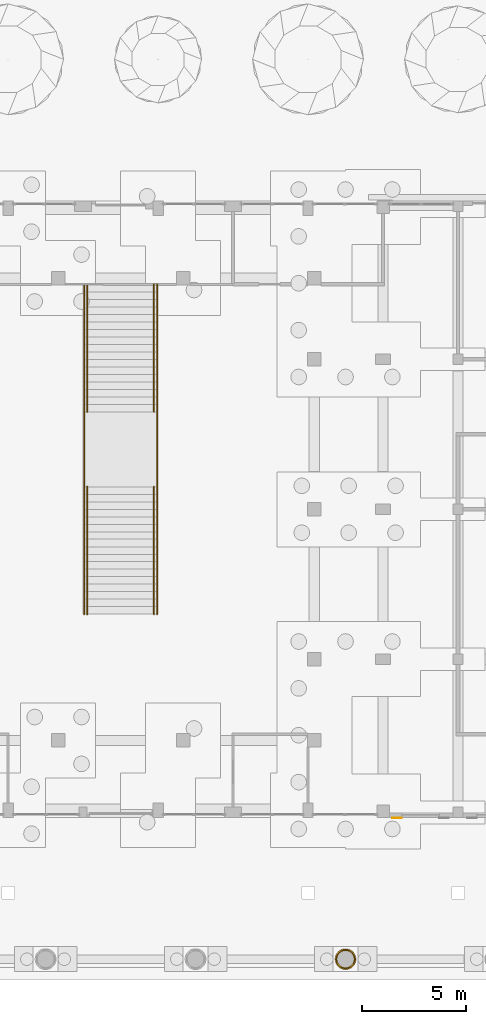
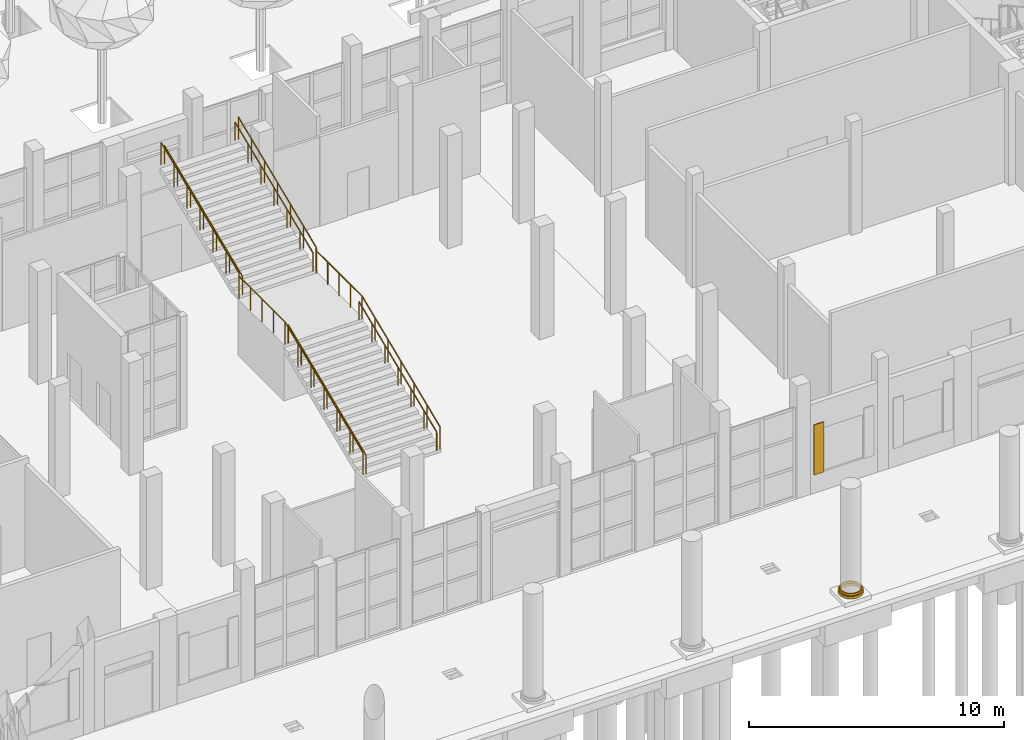
# One storey, part 60 of 80: 10 railings, 2 coverings, 1 shading device.
"""IFC4 building model written with IfcOpenShell, lengths in metres."""

from ifc_helpers import new_model, si_unit, direction, frame, origin, origin_2d, place, context, subcontext, project, spatial, polyline, rectangle, circle, outline, extrude, material, layer, layer_set, type_object, element, save


model = new_model("IFC4")

# Units and contexts
model_context = context("Model", 3, precision=1e-05, world=origin(), true_north=direction((0.0, 1.0)))
body_context = subcontext(model_context, "Body", "Model", "MODEL_VIEW")
ifc_project = project(units=[si_unit("LENGTHUNIT", "METRE"), si_unit("AREAUNIT", "SQUARE_METRE"), si_unit("VOLUMEUNIT", "CUBIC_METRE"), si_unit("PLANEANGLEUNIT", "RADIAN"), si_unit("MASSUNIT", "GRAM", prefix="KILO")], contexts=[model_context])

# Site, building, storey
site_placement = place(None, origin())
site = spatial("IfcSite", under=ifc_project, at=site_placement, CompositionType="ELEMENT")
building_placement = place(site_placement, origin())
building = spatial("IfcBuilding", under=site, at=building_placement, Name="Ussher Court Research Institute", CompositionType="ELEMENT")
storey_placement = place(building_placement, origin())
storey = spatial("IfcBuildingStorey", under=building, at=storey_placement, Name="L00", CompositionType="ELEMENT", Elevation=0.0)

# Coverings
ifc_material_1 = material(Name="Limestone cornice", Category="masonry")
covering_type_1 = type_object("IfcCoveringType", Name="Column base fillet 800 896x100", PredefinedType="CLADDING", material=ifc_material_1)
covering_1_placement = place(storey_placement, frame((0.0, 0.0, 0.320068359375)))
element("IfcCovering", 1, at=covering_1_placement, inside=storey, type_object=covering_type_1, Name="Column base CC15", PredefinedType="CLADDING", context=body_context, shape_type="SweptSolid", body=[
    extrude(outline(polyline([(62.847900390625, 4.0), (62.84423828125, 4.05859375), (62.832763671875, 4.115966796875), (62.81396484375, 4.17138671875), (62.7880859375, 4.22412109375), (62.75537109375, 4.272705078125), (62.716796875, 4.31689453125), (62.672607421875, 4.35546875), (62.6240234375, 4.387939453125), (62.5712890625, 4.413818359375), (62.51611328125, 4.4326171875), (62.45849609375, 4.444091796875), (62.39990234375, 4.447998046875), (62.341552734375, 4.444091796875), (62.283935546875, 4.4326171875), (62.228515625, 4.413818359375), (62.176025390625, 4.387939453125), (62.127197265625, 4.35546875), (62.083251953125, 4.31689453125), (62.044677734375, 4.272705078125), (62.011962890625, 4.22412109375), (61.986083984375, 4.17138671875), (61.96728515625, 4.115966796875), (61.955810546875, 4.05859375), (61.951904296875, 4.0), (61.955810546875, 3.94140625), (61.96728515625, 3.884033203125), (61.986083984375, 3.82861328125), (62.011962890625, 3.77587890625), (62.044677734375, 3.727294921875), (62.083251953125, 3.68310546875), (62.127197265625, 3.64453125), (62.176025390625, 3.612060546875), (62.228515625, 3.586181640625), (62.283935546875, 3.5673828125), (62.341552734375, 3.555908203125), (62.39990234375, 3.552001953125), (62.45849609375, 3.555908203125), (62.51611328125, 3.5673828125), (62.5712890625, 3.586181640625), (62.6240234375, 3.612060546875), (62.672607421875, 3.64453125), (62.716796875, 3.68310546875), (62.75537109375, 3.727294921875), (62.7880859375, 3.77587890625), (62.81396484375, 3.82861328125), (62.832763671875, 3.884033203125), (62.84423828125, 3.94140625), (62.847900390625, 4.0)]), holes=[polyline([(62.80078125, 4.0), (62.79736328125, 4.05224609375), (62.787109375, 4.103759765625), (62.770263671875, 4.1533203125), (62.747314453125, 4.200439453125), (62.718017578125, 4.243896484375), (62.683349609375, 4.283447265625), (62.64404296875, 4.318115234375), (62.600341796875, 4.34716796875), (62.553466796875, 4.370361328125), (62.503662109375, 4.38720703125), (62.452392578125, 4.3974609375), (62.39990234375, 4.40087890625), (62.34765625, 4.3974609375), (62.29638671875, 4.38720703125), (62.24658203125, 4.370361328125), (62.19970703125, 4.34716796875), (62.156005859375, 4.318115234375), (62.11669921875, 4.283447265625), (62.08203125, 4.243896484375), (62.052734375, 4.200439453125), (62.02978515625, 4.1533203125), (62.0126953125, 4.103759765625), (62.002685546875, 4.05224609375), (61.9990234375, 4.0), (62.002685546875, 3.94775390625), (62.0126953125, 3.896240234375), (62.02978515625, 3.8466796875), (62.052734375, 3.799560546875), (62.08203125, 3.756103515625), (62.11669921875, 3.716552734375), (62.156005859375, 3.681884765625), (62.19970703125, 3.65283203125), (62.24658203125, 3.629638671875), (62.29638671875, 3.61279296875), (62.34765625, 3.6025390625), (62.39990234375, 3.59912109375), (62.452392578125, 3.6025390625), (62.503662109375, 3.61279296875), (62.553466796875, 3.629638671875), (62.600341796875, 3.65283203125), (62.64404296875, 3.681884765625), (62.683349609375, 3.716552734375), (62.718017578125, 3.756103515625), (62.747314453125, 3.799560546875), (62.770263671875, 3.8466796875), (62.787109375, 3.896240234375), (62.79736328125, 3.94775390625), (62.80078125, 4.0)])]), origin(), (0.0, 0.0, 1.0), 0.099853515625),
])
ifc_material_2 = material(Name="Limestone cornice", Category="masonry")
covering_type_2 = type_object("IfcCoveringType", Name="Column base torus 800 1000x120", PredefinedType="CLADDING", material=ifc_material_2)
covering_2_placement = place(storey_placement, frame((0.0, 0.0, 0.199951171875)))
element("IfcCovering", 2, at=covering_2_placement, inside=storey, type_object=covering_type_2, Name="Column base CC14", PredefinedType="CLADDING", context=body_context, shape_type="SweptSolid", body=[
    extrude(outline(polyline([(62.89990234375, 4.0), (62.895751953125, 4.065185546875), (62.883056640625, 4.12939453125), (62.86181640625, 4.19140625), (62.8330078125, 4.25), (62.796630859375, 4.304443359375), (62.753662109375, 4.353515625), (62.704345703125, 4.396728515625), (62.64990234375, 4.43310546875), (62.59130859375, 4.4619140625), (62.529296875, 4.48291015625), (62.46533203125, 4.49560546875), (62.39990234375, 4.5), (62.334716796875, 4.49560546875), (62.2705078125, 4.48291015625), (62.208740234375, 4.4619140625), (62.14990234375, 4.43310546875), (62.095703125, 4.396728515625), (62.04638671875, 4.353515625), (62.00341796875, 4.304443359375), (61.967041015625, 4.25), (61.93798828125, 4.19140625), (61.9169921875, 4.12939453125), (61.904296875, 4.065185546875), (61.89990234375, 4.0), (61.904296875, 3.934814453125), (61.9169921875, 3.87060546875), (61.93798828125, 3.80859375), (61.967041015625, 3.75), (62.00341796875, 3.695556640625), (62.04638671875, 3.646484375), (62.095703125, 3.603271484375), (62.14990234375, 3.56689453125), (62.208740234375, 3.5380859375), (62.2705078125, 3.51708984375), (62.334716796875, 3.50439453125), (62.39990234375, 3.5), (62.46533203125, 3.50439453125), (62.529296875, 3.51708984375), (62.59130859375, 3.5380859375), (62.64990234375, 3.56689453125), (62.704345703125, 3.603271484375), (62.753662109375, 3.646484375), (62.796630859375, 3.695556640625), (62.8330078125, 3.75), (62.86181640625, 3.80859375), (62.883056640625, 3.87060546875), (62.895751953125, 3.934814453125), (62.89990234375, 4.0)]), holes=[polyline([(62.80078125, 4.0), (62.79736328125, 4.05224609375), (62.787109375, 4.103759765625), (62.770263671875, 4.1533203125), (62.747314453125, 4.200439453125), (62.718017578125, 4.243896484375), (62.683349609375, 4.283447265625), (62.64404296875, 4.318115234375), (62.600341796875, 4.34716796875), (62.553466796875, 4.370361328125), (62.503662109375, 4.38720703125), (62.452392578125, 4.3974609375), (62.39990234375, 4.40087890625), (62.34765625, 4.3974609375), (62.29638671875, 4.38720703125), (62.24658203125, 4.370361328125), (62.19970703125, 4.34716796875), (62.156005859375, 4.318115234375), (62.11669921875, 4.283447265625), (62.08203125, 4.243896484375), (62.052734375, 4.200439453125), (62.02978515625, 4.1533203125), (62.0126953125, 4.103759765625), (62.002685546875, 4.05224609375), (61.9990234375, 4.0), (62.002685546875, 3.94775390625), (62.0126953125, 3.896240234375), (62.02978515625, 3.8466796875), (62.052734375, 3.799560546875), (62.08203125, 3.756103515625), (62.11669921875, 3.716552734375), (62.156005859375, 3.681884765625), (62.19970703125, 3.65283203125), (62.24658203125, 3.629638671875), (62.29638671875, 3.61279296875), (62.34765625, 3.6025390625), (62.39990234375, 3.59912109375), (62.452392578125, 3.6025390625), (62.503662109375, 3.61279296875), (62.553466796875, 3.629638671875), (62.600341796875, 3.65283203125), (62.64404296875, 3.681884765625), (62.683349609375, 3.716552734375), (62.718017578125, 3.756103515625), (62.747314453125, 3.799560546875), (62.770263671875, 3.8466796875), (62.787109375, 3.896240234375), (62.79736328125, 3.94775390625), (62.80078125, 4.0)])]), origin(), (0.0, 0.0, 1.0), 0.1201171875),
])

# Shading device
ifc_material_3 = material(Name="Timber louvred shutter", Category="wood")
ifc_layer = layer(ifc_material_3, 0.0400390625)
ifc_layer_set = layer_set([ifc_layer], Name="Timber louvred shutter")
shading_device_type = type_object("IfcShadingDeviceType", Name="Louvred shutter leaf 450x2400", PredefinedType="USERDEFINED", material=ifc_layer_set)
shading_device_placement = place(storey_placement, frame((64.875, 10.780029296875, 0.900146484375), z_axis=(0.0, 0.0, 1.0), x_axis=(-1.0, 0.0, 0.0)))
element("IfcShadingDevice", 3, at=shading_device_placement, inside=storey, type_object=shading_device_type, Name="Shutter LV2 L00", ObjectType="SHUTTER", PredefinedType="USERDEFINED", context=body_context, shape_type="SweptSolid", body=[
    extrude(rectangle(XDim=0.449951171875, YDim=0.0400390625, at=origin_2d()), origin(), (0.0, 0.0, 1.0), 2.39990234375),
])

# Railings
ifc_material_4 = material(Name="Painted steel balustrade", Category="steel")
railing_type_1 = type_object("IfcRailingType", Name="Stair guard 1100 steel balustrade", PredefinedType="GUARDRAIL", material=ifc_material_4)
for number, where, name in (
    (4, (49.85009765625, 20.56005859375, 0.14990234375), "L00 Monumental stair guard"),
    (5, (53.35009765625, 20.56005859375, 0.14990234375), "L00 Monumental stair guard"),
):
    element("IfcRailing", number, at=place(storey_placement, frame(where)), inside=storey, type_object=railing_type_1, Name=name, PredefinedType="GUARDRAIL", context=body_context, shape_type="SweptSolid", body=[
        extrude(circle(Radius=0.02392578125, at=origin_2d()), frame((0.0, 0.0, 1.076171875), z_axis=(0.0, 0.923071475622, 0.384628458247), x_axis=(-1.0, 0.0, 0.0)), (0.0, 0.0, 1.0), 6.6298828125),
        extrude(circle(Radius=0.02099609375, at=origin_2d()), origin(), (0.0, 0.0, 1.0), 1.052001953125),
        extrude(circle(Radius=0.02099609375, at=origin_2d()), frame((0.0, 1.02001953125, 0.425048828125)), (0.0, 0.0, 1.0), 1.052001953125),
        extrude(circle(Radius=0.02099609375, at=origin_2d()), frame((0.0, 2.0400390625, 0.85009765625)), (0.0, 0.0, 1.0), 1.052001953125),
        extrude(circle(Radius=0.02099609375, at=origin_2d()), frame((0.0, 3.06005859375, 1.27490234375)), (0.0, 0.0, 1.0), 1.052001953125),
        extrude(circle(Radius=0.02099609375, at=origin_2d()), frame((0.0, 4.079833984375, 1.699951171875)), (0.0, 0.0, 1.0), 1.052001953125),
        extrude(circle(Radius=0.02099609375, at=origin_2d()), frame((0.0, 5.099853515625, 2.125)), (0.0, 0.0, 1.0), 1.052001953125),
        extrude(circle(Radius=0.02099609375, at=origin_2d()), frame((0.0, 6.119873046875, 2.550048828125)), (0.0, 0.0, 1.0), 1.052001953125),
    ])
for number, where, name in (
    (6, (49.85009765625, 30.280029296875, 2.85009765625), "L00 Monumental stair guard"),
    (7, (53.35009765625, 30.280029296875, 2.85009765625), "L00 Monumental stair guard"),
):
    element("IfcRailing", number, at=place(storey_placement, frame(where)), inside=storey, type_object=railing_type_1, Name=name, PredefinedType="GUARDRAIL", context=body_context, shape_type="SweptSolid", body=[
        extrude(circle(Radius=0.02392578125, at=origin_2d()), frame((0.0, 0.0, 1.076171875), z_axis=(0.0, 0.923084549311, 0.384597081143), x_axis=(-1.0, 0.0, 0.0)), (0.0, 0.0, 1.0), 6.6298828125),
        extrude(circle(Radius=0.02099609375, at=origin_2d()), origin(), (0.0, 0.0, 1.0), 1.052001953125),
        extrude(circle(Radius=0.02099609375, at=origin_2d()), frame((0.0, 1.02001953125, 0.425048828125)), (0.0, 0.0, 1.0), 1.052001953125),
        extrude(circle(Radius=0.02099609375, at=origin_2d()), frame((0.0, 2.0400390625, 0.849853515625)), (0.0, 0.0, 1.0), 1.052001953125),
        extrude(circle(Radius=0.02099609375, at=origin_2d()), frame((0.0, 3.06005859375, 1.27490234375)), (0.0, 0.0, 1.0), 1.052001953125),
        extrude(circle(Radius=0.02099609375, at=origin_2d()), frame((0.0, 4.079833984375, 1.699951171875)), (0.0, 0.0, 1.0), 1.052001953125),
        extrude(circle(Radius=0.02099609375, at=origin_2d()), frame((0.0, 5.099853515625, 2.124755859375)), (0.0, 0.0, 1.0), 1.052001953125),
        extrude(circle(Radius=0.02099609375, at=origin_2d()), frame((0.0, 6.119873046875, 2.5498046875)), (0.0, 0.0, 1.0), 1.052001953125),
    ])
for number, where, name in (
    (8, (49.85009765625, 26.679931640625, 2.699951171875), "L00 Monumental stair landing guard"),
    (9, (53.35009765625, 26.679931640625, 2.699951171875), "L00 Monumental stair landing guard"),
):
    element("IfcRailing", number, at=place(storey_placement, frame(where)), inside=storey, type_object=railing_type_1, Name=name, PredefinedType="GUARDRAIL", context=body_context, shape_type="SweptSolid", body=[
        extrude(circle(Radius=0.02392578125, at=origin_2d()), frame((0.0, 0.0, 1.076171875), z_axis=(0.0, 1.0, 0.0), x_axis=(-1.0, 0.0, 0.0)), (0.0, 0.0, 1.0), 3.60009765625),
        extrude(circle(Radius=0.02099609375, at=origin_2d()), origin(), (0.0, 0.0, 1.0), 1.052001953125),
        extrude(circle(Radius=0.02099609375, at=origin_2d()), frame((0.0, 0.89990234375, 0.0)), (0.0, 0.0, 1.0), 1.052001953125),
        extrude(circle(Radius=0.02099609375, at=origin_2d()), frame((0.0, 1.800048828125, 0.0)), (0.0, 0.0, 1.0), 1.052001953125),
        extrude(circle(Radius=0.02099609375, at=origin_2d()), frame((0.0, 2.7001953125, 0.0)), (0.0, 0.0, 1.0), 1.052001953125),
        extrude(circle(Radius=0.02099609375, at=origin_2d()), frame((0.0, 3.60009765625, 0.0)), (0.0, 0.0, 1.0), 1.052001953125),
    ])
ifc_material_5 = material(Name="Painted steel handrail", Category="steel")
railing_type_2 = type_object("IfcRailingType", Name="Stair handrail 900 steel", PredefinedType="HANDRAIL", material=ifc_material_5)
for number, where, name in (
    (10, (50.0, 20.56005859375, 0.14990234375), "L00 Monumental stair handrail"),
    (11, (53.199951171875, 20.56005859375, 0.14990234375), "L00 Monumental stair handrail"),
):
    element("IfcRailing", number, at=place(storey_placement, frame(where)), inside=storey, type_object=railing_type_2, Name=name, PredefinedType="HANDRAIL", context=body_context, shape_type="SweptSolid", body=[
        extrude(circle(Radius=0.02392578125, at=origin_2d()), frame((0.0, 0.0, 0.8759765625), z_axis=(0.0, 0.923071475622, 0.384628458247), x_axis=(-1.0, 0.0, 0.0)), (0.0, 0.0, 1.0), 6.6298828125),
        extrude(circle(Radius=0.02099609375, at=origin_2d()), origin(), (0.0, 0.0, 1.0), 0.851806640625),
        extrude(circle(Radius=0.02099609375, at=origin_2d()), frame((0.0, 1.02001953125, 0.425048828125)), (0.0, 0.0, 1.0), 0.851806640625),
        extrude(circle(Radius=0.02099609375, at=origin_2d()), frame((0.0, 2.0400390625, 0.85009765625)), (0.0, 0.0, 1.0), 0.851806640625),
        extrude(circle(Radius=0.02099609375, at=origin_2d()), frame((0.0, 3.06005859375, 1.27490234375)), (0.0, 0.0, 1.0), 0.851806640625),
        extrude(circle(Radius=0.02099609375, at=origin_2d()), frame((0.0, 4.079833984375, 1.699951171875)), (0.0, 0.0, 1.0), 0.851806640625),
        extrude(circle(Radius=0.02099609375, at=origin_2d()), frame((0.0, 5.099853515625, 2.125)), (0.0, 0.0, 1.0), 0.851806640625),
        extrude(circle(Radius=0.02099609375, at=origin_2d()), frame((0.0, 6.119873046875, 2.550048828125)), (0.0, 0.0, 1.0), 0.851806640625),
    ])
for number, where, name in (
    (12, (50.0, 30.280029296875, 2.85009765625), "L00 Monumental stair handrail"),
    (13, (53.199951171875, 30.280029296875, 2.85009765625), "L00 Monumental stair handrail"),
):
    element("IfcRailing", number, at=place(storey_placement, frame(where)), inside=storey, type_object=railing_type_2, Name=name, PredefinedType="HANDRAIL", context=body_context, shape_type="SweptSolid", body=[
        extrude(circle(Radius=0.02392578125, at=origin_2d()), frame((0.0, 0.0, 0.8759765625), z_axis=(0.0, 0.923084549311, 0.384597081143), x_axis=(-1.0, 0.0, 0.0)), (0.0, 0.0, 1.0), 6.6298828125),
        extrude(circle(Radius=0.02099609375, at=origin_2d()), origin(), (0.0, 0.0, 1.0), 0.851806640625),
        extrude(circle(Radius=0.02099609375, at=origin_2d()), frame((0.0, 1.02001953125, 0.425048828125)), (0.0, 0.0, 1.0), 0.851806640625),
        extrude(circle(Radius=0.02099609375, at=origin_2d()), frame((0.0, 2.0400390625, 0.849853515625)), (0.0, 0.0, 1.0), 0.851806640625),
        extrude(circle(Radius=0.02099609375, at=origin_2d()), frame((0.0, 3.06005859375, 1.27490234375)), (0.0, 0.0, 1.0), 0.851806640625),
        extrude(circle(Radius=0.02099609375, at=origin_2d()), frame((0.0, 4.079833984375, 1.699951171875)), (0.0, 0.0, 1.0), 0.851806640625),
        extrude(circle(Radius=0.02099609375, at=origin_2d()), frame((0.0, 5.099853515625, 2.124755859375)), (0.0, 0.0, 1.0), 0.851806640625),
        extrude(circle(Radius=0.02099609375, at=origin_2d()), frame((0.0, 6.119873046875, 2.5498046875)), (0.0, 0.0, 1.0), 0.851806640625),
    ])

save(model, "model.ifc")
